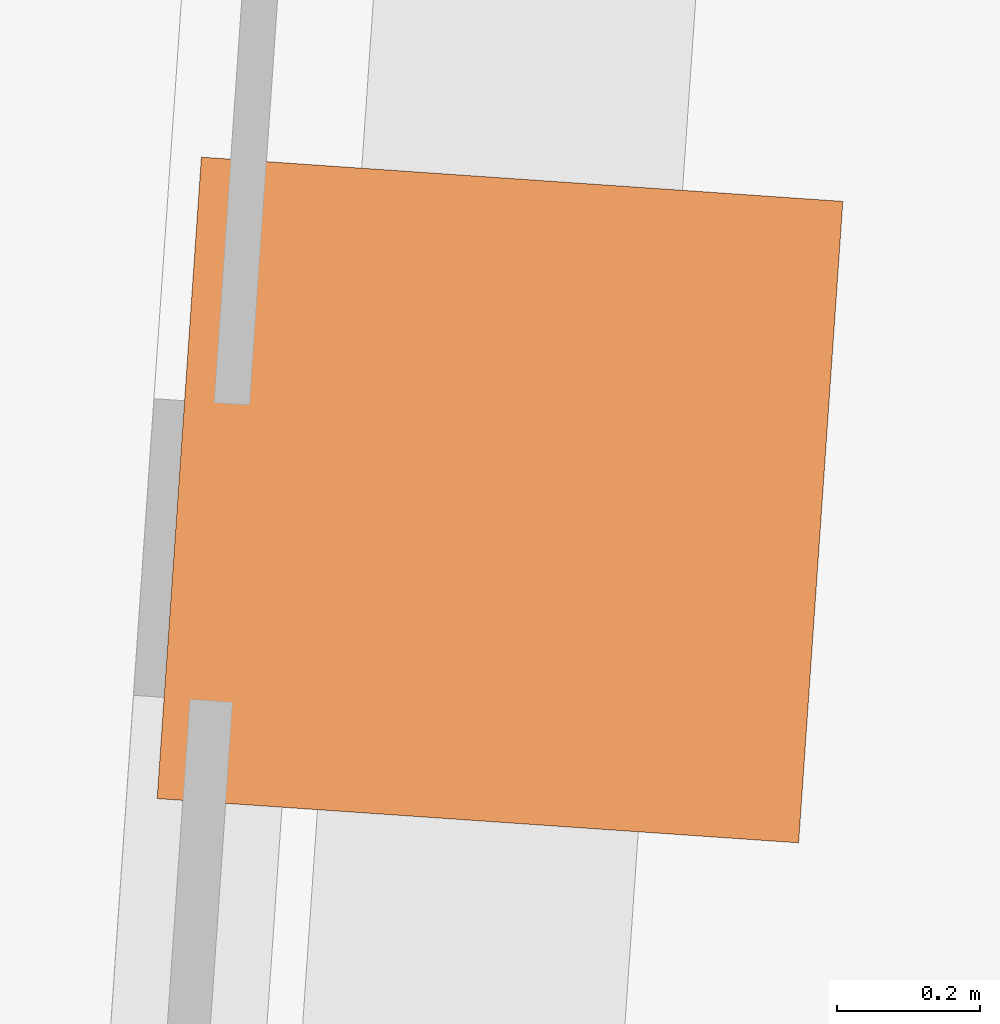
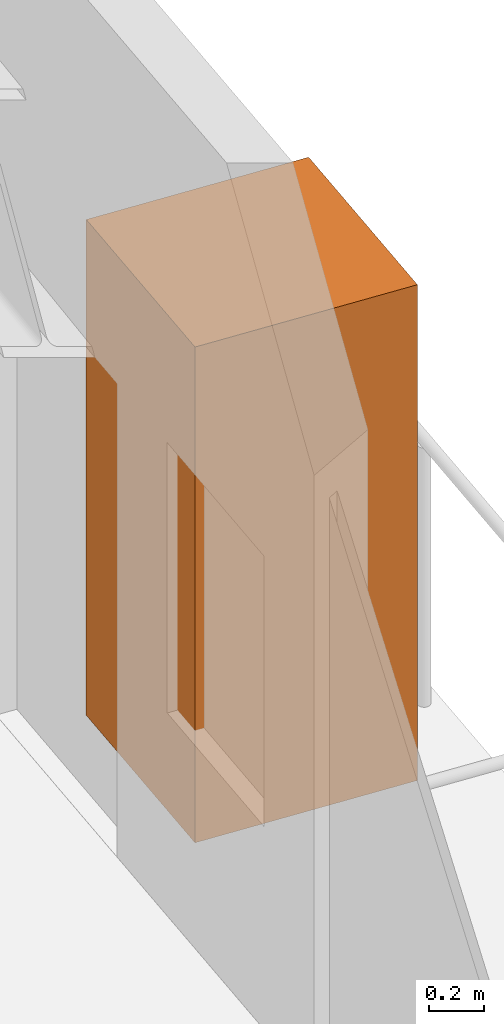
# One storey, part 10 of 10: 1 geographic element.
"""IFC4 building model written with IfcOpenShell, lengths in metres."""

from ifc_helpers import new_model, si_unit, direction, frame, origin, origin_2d, place, context, subcontext, project, spatial, rectangle, extrude, material, type_object, element, save


model = new_model("IFC4")

# Units and contexts
model_context = context("Model", 3, precision=1e-05, world=origin(), true_north=direction((0.0, 1.0)))
body_context = subcontext(model_context, "Body", "Model", "MODEL_VIEW")
ifc_project = project(units=[si_unit("LENGTHUNIT", "METRE"), si_unit("AREAUNIT", "SQUARE_METRE"), si_unit("VOLUMEUNIT", "CUBIC_METRE"), si_unit("PLANEANGLEUNIT", "RADIAN"), si_unit("MASSUNIT", "GRAM", prefix="KILO")], contexts=[model_context])

# Site, building, storey
site_placement = place(None, origin())
site = spatial("IfcSite", under=ifc_project, at=site_placement, CompositionType="ELEMENT")
building_placement = place(site_placement, origin())
building = spatial("IfcBuilding", under=site, at=building_placement, Name="Verdant Reach Tower", CompositionType="ELEMENT")
storey_placement = place(building_placement, frame((0.0, 0.0, 186.0)))
storey = spatial("IfcBuildingStorey", under=building, at=storey_placement, Name="L42", CompositionType="ELEMENT", Elevation=186.0)

# Geographic element
ifc_material = material(Name="Planting")
geographic_element_type = type_object("IfcGeographicElementType", Name="EN-TREE", PredefinedType="USERDEFINED", material=ifc_material)
geographic_element_placement = place(storey_placement, frame((23.9560546875, 55.1982421875, 0.39990234375), z_axis=(0.0, 0.0, 1.0), x_axis=(0.068802091615, 0.997630328423, 0.0)))
element("IfcGeographicElement", 1, at=geographic_element_placement, inside=storey, type_object=geographic_element_type, Name="Balcony tree, Guabiroba (Campomanesia xanthocarpa), L42 1", ObjectType="TREE", PredefinedType="USERDEFINED", context=body_context, shape_type="SweptSolid", body=[
    extrude(rectangle(XDim=0.89990234375, YDim=0.89990234375, at=origin_2d()), origin(), (0.0, 0.0, 1.0), 2.199951171875),
])

save(model, "model.ifc")
